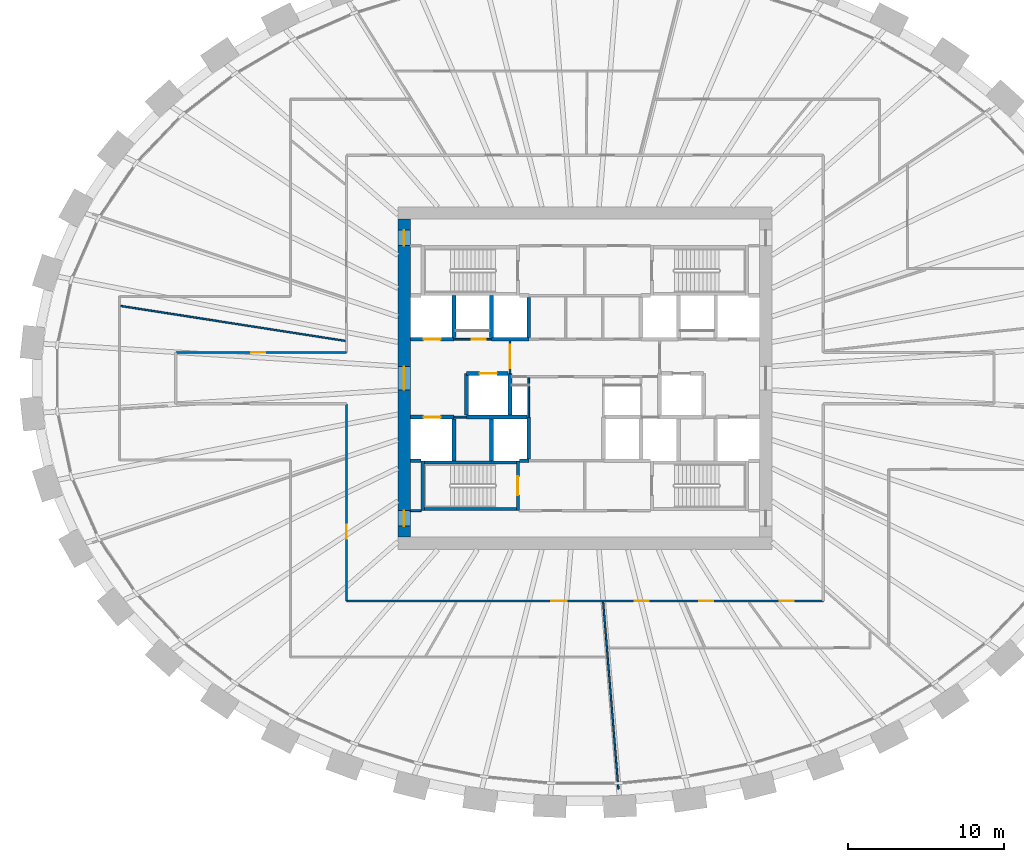
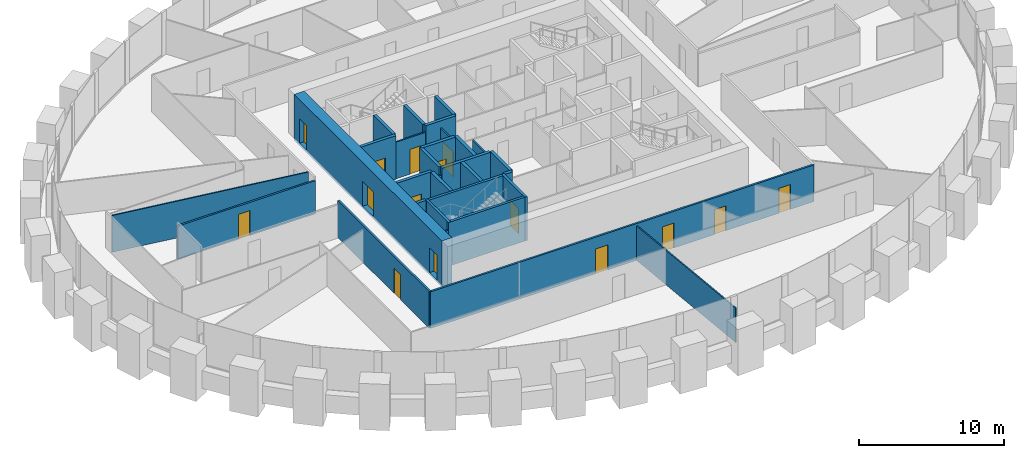
# One storey, part 6 of 11: 30 walls, 15 doors, 15 openings.
"""IFC4 building model written with IfcOpenShell, lengths in metres."""

from ifc_helpers import new_model, si_unit, direction, frame, frame_2d, origin, place, context, subcontext, project, spatial, rectangle, extrude, source, transform, mapped, material, layer, layer_set, type_object, element, fill, save


model = new_model("IFC4")

# Units and contexts
model_context = context("Model", 3, precision=1e-05, world=origin(), true_north=direction((0.0, 1.0)))
body_context = subcontext(model_context, "Body", "Model", "MODEL_VIEW")
ifc_project = project(units=[si_unit("LENGTHUNIT", "METRE"), si_unit("AREAUNIT", "SQUARE_METRE"), si_unit("VOLUMEUNIT", "CUBIC_METRE"), si_unit("PLANEANGLEUNIT", "RADIAN"), si_unit("MASSUNIT", "GRAM", prefix="KILO")], contexts=[model_context])

# Site, building, storey
site_placement = place(None, origin())
site = spatial("IfcSite", under=ifc_project, at=site_placement, CompositionType="ELEMENT")
building_placement = place(site_placement, origin())
building = spatial("IfcBuilding", under=site, at=building_placement, Name="Embergate Tower", CompositionType="ELEMENT")
storey_placement = place(building_placement, frame((0.0, 0.0, 219.0)))
storey = spatial("IfcBuildingStorey", under=building, at=storey_placement, Name="L50", CompositionType="ELEMENT", Elevation=219.0)

# Wall, openings, doors
ifc_material_1 = material(Name="Concrete C70", Category="concrete")
ifc_layer_1 = layer(ifc_material_1, 0.800048828125)
ifc_layer_set_1 = layer_set([ifc_layer_1], Name="Concrete C70")
wall_type_1 = type_object("IfcWallType", Name="Core outer wall C70 800", PredefinedType="SHEAR", material=ifc_layer_set_1)
shared_shape_1 = source(origin(), body_context, "Body", "SweptSolid", [
    extrude(rectangle(XDim=20.39990234375, YDim=0.800048828125, at=frame_2d((10.199951171875, 0.0))), origin(), (0.0, 0.0, 1.0), 3.89990234375),
])
wall_1_placement = place(storey_placement, frame((-11.60009765625, -10.199951171875, -0.199951171875), z_axis=(0.0, 0.0, 1.0), x_axis=(0.0, 1.0, 0.0)))
wall_1 = element("IfcWall", 1, at=wall_1_placement, inside=storey, type_object=wall_type_1, Name="CW-L50-W", PredefinedType="SHEAR", context=body_context, shape_type="MappedRepresentation", body=[
    mapped(shared_shape_1, transform((0.0, 0.0, 0.0))),
])
shared_shape_2 = source(origin(), body_context, "Body", "SweptSolid", [
    extrude(rectangle(XDim=1.0, YDim=2.10009765625, at=frame_2d((0.5, 1.050048828125))), frame((0.0, 0.409912109375, 0.0), z_axis=(0.0, -1.0, 0.0), x_axis=(1.0, 0.0, 0.0)), (0.0, 0.0, 1.0), 0.820068359375),
])
opening_1_placement = place(wall_1_placement, frame((18.699951171875, 0.0, 0.199951171875)))
opening_1 = element("IfcOpeningElement", 2, at=opening_1_placement, cuts=wall_1, Name="Opening IF-1d", PredefinedType="OPENING", context=body_context, shape_type="MappedRepresentation", body=[
    mapped(shared_shape_2, transform((0.0, 0.0, 0.0))),
])
opening_2_placement = place(wall_1_placement, frame((0.699951171875, 0.0, 0.199951171875)))
opening_2 = element("IfcOpeningElement", 3, at=opening_2_placement, cuts=wall_1, Name="Opening IF-1d", PredefinedType="OPENING", context=body_context, shape_type="MappedRepresentation", body=[
    mapped(shared_shape_2, transform((0.0, 0.0, 0.0))),
])
shared_shape_3 = source(origin(), body_context, "Body", "SweptSolid", [
    extrude(rectangle(XDim=1.5, YDim=2.10009765625, at=frame_2d((0.75, 1.050048828125))), frame((0.0, 0.409912109375, 0.0), z_axis=(0.0, -1.0, 0.0), x_axis=(1.0, 0.0, 0.0)), (0.0, 0.0, 1.0), 0.820068359375),
])
opening_3_placement = place(wall_1_placement, frame((9.449951171875, 0.0, 0.199951171875)))
opening_3 = element("IfcOpeningElement", 4, at=opening_3_placement, cuts=wall_1, Name="Opening IF-3", PredefinedType="OPENING", context=body_context, shape_type="MappedRepresentation", body=[
    mapped(shared_shape_3, transform((0.0, 0.0, 0.0))),
])
ifc_material_2 = material(Name="Lobby fire door pair 1500")
door_type_1 = type_object("IfcDoorType", Name="Lobby fire door pair 1500", OperationType="DOUBLE_DOOR_SINGLE_SWING", PredefinedType="DOOR", material=ifc_material_2)
shared_shape_4 = source(origin(), body_context, "Body", "SweptSolid", [
    extrude(rectangle(XDim=1.5, YDim=2.10009765625, at=frame_2d((0.75, 1.050048828125))), frame((0.0, 0.02490234375, 0.0), z_axis=(0.0, -1.0, 0.0), x_axis=(1.0, 0.0, 0.0)), (0.0, 0.0, 1.0), 0.050048828125),
])
door_1_placement = place(opening_3_placement, origin())
door_1 = element("IfcDoor", 5, at=door_1_placement, inside=storey, type_object=door_type_1, Name="IF-3 door", OperationType="DOUBLE_DOOR_SINGLE_SWING", OverallHeight=2.10009765625, OverallWidth=1.5, PredefinedType="DOOR", context=body_context, shape_type="MappedRepresentation", body=[
    mapped(shared_shape_4, transform((0.0, 0.0, 0.0))),
])
fill(opening_3, door_1)
ifc_material_3 = material(Name="Escape fire door 1000")
door_type_2 = type_object("IfcDoorType", Name="Escape fire door 1000", OperationType="SINGLE_SWING_LEFT", PredefinedType="DOOR", material=ifc_material_3)
shared_shape_5 = source(origin(), body_context, "Body", "SweptSolid", [
    extrude(rectangle(XDim=1.0, YDim=2.10009765625, at=frame_2d((0.5, 1.050048828125))), frame((0.0, 0.02490234375, 0.0), z_axis=(0.0, -1.0, 0.0), x_axis=(1.0, 0.0, 0.0)), (0.0, 0.0, 1.0), 0.050048828125),
])
door_2_placement = place(opening_1_placement, origin())
door_2 = element("IfcDoor", 6, at=door_2_placement, inside=storey, type_object=door_type_2, Name="IF-1 door", OperationType="SINGLE_SWING_RIGHT", OverallHeight=2.10009765625, OverallWidth=1.0, PredefinedType="DOOR", context=body_context, shape_type="MappedRepresentation", body=[
    mapped(shared_shape_5, transform((0.0, 0.0, 0.0))),
])
fill(opening_1, door_2)
door_3_placement = place(opening_2_placement, origin())
door_3 = element("IfcDoor", 7, at=door_3_placement, inside=storey, type_object=door_type_2, Name="IF-1 door", OperationType="SINGLE_SWING_LEFT", OverallHeight=2.10009765625, OverallWidth=1.0, PredefinedType="DOOR", context=body_context, shape_type="MappedRepresentation", body=[
    mapped(shared_shape_5, transform((0.0, 0.0, 0.0))),
])
fill(opening_2, door_3)

# Walls
ifc_material_4 = material(Name="Concrete C50", Category="concrete")
ifc_layer_2 = layer(ifc_material_4, 0.25)
ifc_layer_set_2 = layer_set([ifc_layer_2], Name="Concrete C50")
wall_type_2 = type_object("IfcWallType", Name="Hoistway wall reinforced concrete 250", PredefinedType="SHEAR", material=ifc_layer_set_2)
shared_shape_6 = source(origin(), body_context, "Body", "SweptSolid", [
    extrude(rectangle(XDim=2.675048828125, YDim=0.25, at=frame_2d((1.33740234375, 0.0))), origin(), (0.0, 0.0, 1.0), 3.699951171875),
])
for number, where, z_axis, x_axis, name in (
    (8, (-8.39990234375, 2.625, 0.0), (0.0, 0.0, 1.0), (0.0, 1.0, 0.0), "HW-1 wall"),
    (9, (-6.0, 2.625, 0.0), (0.0, 0.0, 1.0), (0.0, 1.0, 0.0), "HW-1 wall"),
    (10, (-3.60009765625, -5.175048828125, 0.0), (0.0, 0.0, 1.0), (0.0, 1.0, 0.0), "HW-1 wall"),
    (11, (-4.800048828125, 0.300048828125, 0.0), (0.0, 0.0, 1.0), (0.0, -1.0, 0.0), "HW-1 wall"),
):
    element("IfcWall", number, at=place(storey_placement, frame(where, z_axis=z_axis, x_axis=x_axis)), inside=storey, type_object=wall_type_2, Name=name, PredefinedType="SHEAR", context=body_context, shape_type="MappedRepresentation", body=[
        mapped(shared_shape_6, transform((0.0, 0.0, 0.0))),
    ])

# Wall, opening, door
wall_2_placement = place(storey_placement, frame((-4.925048828125, 0.300048828125, 0.0), z_axis=(0.0, 0.0, 1.0), x_axis=(-1.0, 0.0, 0.0)))
wall_2 = element("IfcWall", 12, at=wall_2_placement, inside=storey, type_object=wall_type_2, Name="HW-1 wall", PredefinedType="SHEAR", context=body_context, shape_type="MappedRepresentation", body=[
    mapped(shared_shape_6, transform((0.0, 0.0, 0.0))),
])
shared_shape_7 = source(origin(), body_context, "Body", "SweptSolid", [
    extrude(rectangle(XDim=1.10009765625, YDim=2.10009765625, at=frame_2d((0.550048828125, 1.050048828125))), frame((0.0, 0.135009765625, 0.0), z_axis=(0.0, -1.0, 0.0), x_axis=(1.0, 0.0, 0.0)), (0.0, 0.0, 1.0), 0.27001953125),
])
opening_4_placement = place(wall_2_placement, frame((0.72509765625, 0.0, 0.0)))
opening_4 = element("IfcOpeningElement", 13, at=opening_4_placement, cuts=wall_2, Name="Opening LD", PredefinedType="OPENING", context=body_context, shape_type="MappedRepresentation", body=[
    mapped(shared_shape_7, transform((0.0, 0.0, 0.0))),
])
ifc_material_5 = material(Name="Landing door sliding 1100")
door_type_3 = type_object("IfcDoorType", Name="Landing door sliding 1100", OperationType="SLIDING_TO_LEFT", PredefinedType="DOOR", material=ifc_material_5)
shared_shape_8 = source(origin(), body_context, "Body", "SweptSolid", [
    extrude(rectangle(XDim=1.10009765625, YDim=2.10009765625, at=frame_2d((0.550048828125, 1.050048828125))), frame((0.0, 0.02490234375, 0.0), z_axis=(0.0, -1.0, 0.0), x_axis=(1.0, 0.0, 0.0)), (0.0, 0.0, 1.0), 0.050048828125),
])
door_4_placement = place(opening_4_placement, origin())
door_4 = element("IfcDoor", 14, at=door_4_placement, inside=storey, type_object=door_type_3, Name="LD door", OperationType="SLIDING_TO_LEFT", OverallHeight=2.10009765625, OverallWidth=1.10009765625, PredefinedType="DOOR", context=body_context, shape_type="MappedRepresentation", body=[
    mapped(shared_shape_8, transform((0.0, 0.0, 0.0))),
])
fill(opening_4, door_4)

# Walls
wall_3_placement = place(storey_placement, frame((-7.60009765625, 0.300048828125, 0.0), z_axis=(0.0, 0.0, 1.0), x_axis=(0.0, -1.0, 0.0)))
element("IfcWall", 15, at=wall_3_placement, inside=storey, type_object=wall_type_2, Name="HW-1 wall", PredefinedType="SHEAR", context=body_context, shape_type="MappedRepresentation", body=[
    mapped(shared_shape_6, transform((0.0, 0.0, 0.0))),
])
ifc_layer_3 = layer(ifc_material_4, 0.199951171875)
ifc_layer_set_3 = layer_set([ifc_layer_3], Name="Concrete C50")
wall_type_3 = type_object("IfcWallType", Name="Stair enclosure wall reinforced concrete 250", PredefinedType="SHEAR", material=ifc_layer_set_3)
shared_shape_9 = source(origin(), body_context, "Body", "SweptSolid", [
    extrude(rectangle(XDim=6.300048828125, YDim=0.199951171875, at=frame_2d((3.14990234375, 0.0))), origin(), (0.0, 0.0, 1.0), 3.699951171875),
])
for number, where, z_axis, x_axis, name in (
    (16, (-10.5, -5.39990234375, 0.0), (0.0, 0.0, 1.0), (1.0, 0.0, 0.0), "SE-1 wall"),
    (17, (-10.5, -8.39990234375, 0.0), (0.0, 0.0, 1.0), (1.0, 0.0, 0.0), "SE-1 wall"),
):
    element("IfcWall", number, at=place(storey_placement, frame(where, z_axis=z_axis, x_axis=x_axis)), inside=storey, type_object=wall_type_3, Name=name, PredefinedType="SHEAR", context=body_context, shape_type="MappedRepresentation", body=[
        mapped(shared_shape_9, transform((0.0, 0.0, 0.0))),
    ])
shared_shape_10 = source(origin(), body_context, "Body", "SweptSolid", [
    extrude(rectangle(XDim=2.550048828125, YDim=0.25, at=frame_2d((1.27490234375, 0.0))), origin(), (0.0, 0.0, 1.0), 3.699951171875),
])
wall_4_placement = place(storey_placement, frame((-3.60009765625, 2.625, 0.0), z_axis=(0.0, 0.0, 1.0), x_axis=(0.0, 1.0, 0.0)))
element("IfcWall", 18, at=wall_4_placement, inside=storey, type_object=wall_type_2, Name="HW-1 wall", PredefinedType="SHEAR", context=body_context, shape_type="MappedRepresentation", body=[
    mapped(shared_shape_10, transform((0.0, 0.0, 0.0))),
])

# Wall, opening, door
ifc_material_6 = material(Name="Core partition blockwork 120")
ifc_layer_4 = layer(ifc_material_6, 0.1201171875)
ifc_layer_set_4 = layer_set([ifc_layer_4], Name="Core partition blockwork 120")
wall_type_4 = type_object("IfcWallType", Name="Core partition blockwork 120", PredefinedType="PARTITIONING", material=ifc_layer_set_4)
shared_shape_11 = source(origin(), body_context, "Body", "SweptSolid", [
    extrude(rectangle(XDim=2.074951171875, YDim=0.1201171875, at=frame_2d((1.03759765625, 0.0))), origin(), (0.0, 0.0, 1.0), 3.10009765625),
])
wall_5_placement = place(storey_placement, frame((-4.800048828125, 2.375, 0.0), z_axis=(0.0, 0.0, 1.0), x_axis=(0.0, -1.0, 0.0)))
wall_5 = element("IfcWall", 19, at=wall_5_placement, inside=storey, type_object=wall_type_4, Name="IP-3 wall", PredefinedType="PARTITIONING", context=body_context, shape_type="MappedRepresentation", body=[
    mapped(shared_shape_11, transform((0.0, 0.0, 0.0))),
])
shared_shape_12 = source(origin(), body_context, "Body", "SweptSolid", [
    extrude(rectangle(XDim=1.5, YDim=2.10009765625, at=frame_2d((0.75, 1.050048828125))), frame((0.0, 0.070068359375, 0.0), z_axis=(0.0, -1.0, 0.0), x_axis=(1.0, 0.0, 0.0)), (0.0, 0.0, 1.0), 0.14013671875),
])
opening_5_placement = place(wall_5_placement, frame((0.22509765625, 0.0, 0.0)))
opening_5 = element("IfcOpeningElement", 20, at=opening_5_placement, cuts=wall_5, Name="Opening IF-3", PredefinedType="OPENING", context=body_context, shape_type="MappedRepresentation", body=[
    mapped(shared_shape_12, transform((0.0, 0.0, 0.0))),
])
door_5_placement = place(opening_5_placement, origin())
door_5 = element("IfcDoor", 21, at=door_5_placement, inside=storey, type_object=door_type_1, Name="IF-3 door", OperationType="DOUBLE_DOOR_SINGLE_SWING", OverallHeight=2.10009765625, OverallWidth=1.5, PredefinedType="DOOR", context=body_context, shape_type="MappedRepresentation", body=[
    mapped(shared_shape_4, transform((0.0, 0.0, 0.0))),
])
fill(opening_5, door_5)

shared_shape_13 = source(origin(), body_context, "Body", "SweptSolid", [
    extrude(rectangle(XDim=3.199951171875, YDim=0.199951171875, at=frame_2d((1.60009765625, 0.0))), origin(), (0.0, 0.0, 1.0), 3.699951171875),
])
wall_6_placement = place(storey_placement, frame((-4.300048828125, -8.5, 0.0), z_axis=(0.0, 0.0, 1.0), x_axis=(0.0, 1.0, 0.0)))
wall_6 = element("IfcWall", 22, at=wall_6_placement, inside=storey, type_object=wall_type_3, Name="SE-1 wall", PredefinedType="SHEAR", context=body_context, shape_type="MappedRepresentation", body=[
    mapped(shared_shape_13, transform((0.0, 0.0, 0.0))),
])
shared_shape_14 = source(origin(), body_context, "Body", "SweptSolid", [
    extrude(rectangle(XDim=1.199951171875, YDim=2.10009765625, at=frame_2d((0.60009765625, 1.050048828125))), frame((0.0, 0.10986328125, 0.0), z_axis=(0.0, -1.0, 0.0), x_axis=(1.0, 0.0, 0.0)), (0.0, 0.0, 1.0), 0.219970703125),
])
opening_6_placement = place(wall_6_placement, frame((1.0, 0.0, 0.0)))
opening_6 = element("IfcOpeningElement", 23, at=opening_6_placement, cuts=wall_6, Name="Opening IF-2", PredefinedType="OPENING", context=body_context, shape_type="MappedRepresentation", body=[
    mapped(shared_shape_14, transform((0.0, 0.0, 0.0))),
])
ifc_material_7 = material(Name="Stair enclosure door 1200")
door_type_4 = type_object("IfcDoorType", Name="Stair enclosure door 1200", OperationType="SINGLE_SWING_LEFT", PredefinedType="DOOR", material=ifc_material_7)
shared_shape_15 = source(origin(), body_context, "Body", "SweptSolid", [
    extrude(rectangle(XDim=1.199951171875, YDim=2.10009765625, at=frame_2d((0.60009765625, 1.050048828125))), frame((0.0, 0.02490234375, 0.0), z_axis=(0.0, -1.0, 0.0), x_axis=(1.0, 0.0, 0.0)), (0.0, 0.0, 1.0), 0.050048828125),
])
door_6_placement = place(opening_6_placement, origin())
door_6 = element("IfcDoor", 24, at=door_6_placement, inside=storey, type_object=door_type_4, Name="IF-2 door", OperationType="SINGLE_SWING_LEFT", OverallHeight=2.10009765625, OverallWidth=1.199951171875, PredefinedType="DOOR", context=body_context, shape_type="MappedRepresentation", body=[
    mapped(shared_shape_15, transform((0.0, 0.0, 0.0))),
])
fill(opening_6, door_6)

# Wall
shared_shape_16 = source(origin(), body_context, "Body", "SweptSolid", [
    extrude(rectangle(XDim=2.39990234375, YDim=0.25, at=frame_2d((1.199951171875, 0.0))), origin(), (0.0, 0.0, 1.0), 3.699951171875),
])
wall_7_placement = place(storey_placement, frame((-6.0, 2.5, 0.0), z_axis=(0.0, 0.0, 1.0), x_axis=(1.0, 0.0, 0.0)))
element("IfcWall", 25, at=wall_7_placement, inside=storey, type_object=wall_type_2, Name="HW-1 wall", PredefinedType="SHEAR", context=body_context, shape_type="MappedRepresentation", body=[
    mapped(shared_shape_16, transform((0.0, 0.0, 0.0))),
])

# Wall, opening, door
ifc_material_8 = material(Name="Corridor wall dry-lined 150")
ifc_layer_5 = layer(ifc_material_8, 0.14990234375)
ifc_layer_set_5 = layer_set([ifc_layer_5], Name="Corridor wall dry-lined 150")
wall_type_5 = type_object("IfcWallType", Name="Corridor wall dry-lined 150", PredefinedType="PARTITIONING", material=ifc_layer_set_5)
shared_shape_17 = source(origin(), body_context, "Body", "SweptSolid", [
    extrude(rectangle(XDim=10.949951171875, YDim=0.14990234375, at=frame_2d((5.47509765625, 0.0))), origin(), (0.0, 0.0, 1.0), 2.800048828125),
])
wall_8_placement = place(storey_placement, frame((-15.300048828125, 1.64990234375, 0.0), z_axis=(0.0, 0.0, 1.0), x_axis=(-1.0, 0.0, 0.0)))
wall_8 = element("IfcWall", 26, at=wall_8_placement, inside=storey, type_object=wall_type_5, Name="IP-2 wall", PredefinedType="PARTITIONING", context=body_context, shape_type="MappedRepresentation", body=[
    mapped(shared_shape_17, transform((0.0, 0.0, 0.0))),
])
shared_shape_18 = source(origin(), body_context, "Body", "SweptSolid", [
    extrude(rectangle(XDim=0.89990234375, YDim=2.10009765625, at=frame_2d((0.449951171875, 1.050048828125))), frame((0.0, 0.0849609375, 0.0), z_axis=(0.0, -1.0, 0.0), x_axis=(1.0, 0.0, 0.0)), (0.0, 0.0, 1.0), 0.169921875),
])
opening_7_placement = place(wall_8_placement, frame((5.214111328125, 0.0, 0.0)))
opening_7 = element("IfcOpeningElement", 27, at=opening_7_placement, cuts=wall_8, Name="Opening IF-1c", PredefinedType="OPENING", context=body_context, shape_type="MappedRepresentation", body=[
    mapped(shared_shape_18, transform((0.0, 0.0, 0.0))),
])
ifc_material_9 = material(Name="Escape fire door 900")
door_type_5 = type_object("IfcDoorType", Name="Escape fire door 900", OperationType="SINGLE_SWING_LEFT", PredefinedType="DOOR", material=ifc_material_9)
shared_shape_19 = source(origin(), body_context, "Body", "SweptSolid", [
    extrude(rectangle(XDim=0.89990234375, YDim=2.10009765625, at=frame_2d((0.449951171875, 1.050048828125))), frame((0.0, 0.02490234375, 0.0), z_axis=(0.0, -1.0, 0.0), x_axis=(1.0, 0.0, 0.0)), (0.0, 0.0, 1.0), 0.050048828125),
])
door_7_placement = place(opening_7_placement, origin())
door_7 = element("IfcDoor", 28, at=door_7_placement, inside=storey, type_object=door_type_5, Name="IF-1 door", OperationType="SINGLE_SWING_LEFT", OverallHeight=2.10009765625, OverallWidth=0.89990234375, PredefinedType="DOOR", context=body_context, shape_type="MappedRepresentation", body=[
    mapped(shared_shape_19, transform((0.0, 0.0, 0.0))),
])
fill(opening_7, door_7)

shared_shape_20 = source(origin(), body_context, "Body", "SweptSolid", [
    extrude(rectangle(XDim=2.800048828125, YDim=0.25, at=frame_2d((1.39990234375, 0.0))), origin(), (0.0, 0.0, 1.0), 3.699951171875),
])
wall_9_placement = place(storey_placement, frame((-11.199951171875, 2.5, 0.0), z_axis=(0.0, 0.0, 1.0), x_axis=(1.0, 0.0, 0.0)))
wall_9 = element("IfcWall", 29, at=wall_9_placement, inside=storey, type_object=wall_type_2, Name="HW-1 wall", PredefinedType="SHEAR", context=body_context, shape_type="MappedRepresentation", body=[
    mapped(shared_shape_20, transform((0.0, 0.0, 0.0))),
])
opening_8_placement = place(wall_9_placement, frame((0.85009765625, 0.0, 0.0)))
opening_8 = element("IfcOpeningElement", 30, at=opening_8_placement, cuts=wall_9, Name="Opening LD", PredefinedType="OPENING", context=body_context, shape_type="MappedRepresentation", body=[
    mapped(shared_shape_7, transform((0.0, 0.0, 0.0))),
])
door_8_placement = place(opening_8_placement, origin())
door_8 = element("IfcDoor", 31, at=door_8_placement, inside=storey, type_object=door_type_3, Name="LD door", OperationType="SLIDING_TO_RIGHT", OverallHeight=2.10009765625, OverallWidth=1.10009765625, PredefinedType="DOOR", context=body_context, shape_type="MappedRepresentation", body=[
    mapped(shared_shape_8, transform((0.0, 0.0, 0.0))),
])
fill(opening_8, door_8)

wall_10_placement = place(storey_placement, frame((-8.39990234375, -2.5, 0.0), z_axis=(0.0, 0.0, 1.0), x_axis=(-1.0, 0.0, 0.0)))
wall_10 = element("IfcWall", 32, at=wall_10_placement, inside=storey, type_object=wall_type_2, Name="HW-1 wall", PredefinedType="SHEAR", context=body_context, shape_type="MappedRepresentation", body=[
    mapped(shared_shape_20, transform((0.0, 0.0, 0.0))),
])
opening_9_placement = place(wall_10_placement, frame((0.85009765625, 0.0, 0.0)))
opening_9 = element("IfcOpeningElement", 33, at=opening_9_placement, cuts=wall_10, Name="Opening LD", PredefinedType="OPENING", context=body_context, shape_type="MappedRepresentation", body=[
    mapped(shared_shape_7, transform((0.0, 0.0, 0.0))),
])
door_9_placement = place(opening_9_placement, origin())
door_9 = element("IfcDoor", 34, at=door_9_placement, inside=storey, type_object=door_type_3, Name="LD door", OperationType="SLIDING_TO_LEFT", OverallHeight=2.10009765625, OverallWidth=1.10009765625, PredefinedType="DOOR", context=body_context, shape_type="MappedRepresentation", body=[
    mapped(shared_shape_8, transform((0.0, 0.0, 0.0))),
])
fill(opening_9, door_9)

shared_shape_21 = source(origin(), body_context, "Body", "SweptSolid", [
    extrude(rectangle(XDim=2.39990234375, YDim=0.1201171875, at=frame_2d((1.199951171875, 0.0))), origin(), (0.0, 0.0, 1.0), 3.10009765625),
])
wall_11_placement = place(storey_placement, frame((-8.39990234375, 2.5, 0.0), z_axis=(0.0, 0.0, 1.0), x_axis=(1.0, 0.0, 0.0)))
wall_11 = element("IfcWall", 35, at=wall_11_placement, inside=storey, type_object=wall_type_4, Name="IP-3 wall", PredefinedType="PARTITIONING", context=body_context, shape_type="MappedRepresentation", body=[
    mapped(shared_shape_21, transform((0.0, 0.0, 0.0))),
])
shared_shape_22 = source(origin(), body_context, "Body", "SweptSolid", [
    extrude(rectangle(XDim=0.89990234375, YDim=2.10009765625, at=frame_2d((0.449951171875, 1.050048828125))), frame((0.0, 0.070068359375, 0.0), z_axis=(0.0, -1.0, 0.0), x_axis=(1.0, 0.0, 0.0)), (0.0, 0.0, 1.0), 0.14013671875),
])
opening_10_placement = place(wall_11_placement, frame((1.14990234375, 0.0, 0.0)))
opening_10 = element("IfcOpeningElement", 36, at=opening_10_placement, cuts=wall_11, Name="Opening ID-1", PredefinedType="OPENING", context=body_context, shape_type="MappedRepresentation", body=[
    mapped(shared_shape_22, transform((0.0, 0.0, 0.0))),
])
ifc_material_10 = material(Name="Interior door 900")
door_type_6 = type_object("IfcDoorType", Name="Interior door 900", OperationType="SINGLE_SWING_LEFT", PredefinedType="DOOR", material=ifc_material_10)
door_10_placement = place(opening_10_placement, origin())
door_10 = element("IfcDoor", 37, at=door_10_placement, inside=storey, type_object=door_type_6, Name="ID-1 door", OperationType="SINGLE_SWING_LEFT", OverallHeight=2.10009765625, OverallWidth=0.89990234375, PredefinedType="DOOR", context=body_context, shape_type="MappedRepresentation", body=[
    mapped(shared_shape_19, transform((0.0, 0.0, 0.0))),
])
fill(opening_10, door_10)

# Walls
shared_shape_23 = source(origin(), body_context, "Body", "SweptSolid", [
    extrude(rectangle(XDim=0.599853515625, YDim=0.25, at=frame_2d((0.2998046875, 0.0))), origin(), (0.0, 0.0, 1.0), 3.699951171875),
])
wall_12_placement = place(storey_placement, frame((-4.199951171875, -5.300048828125, 0.0), z_axis=(0.0, 0.0, 1.0), x_axis=(1.0, 0.0, 0.0)))
element("IfcWall", 38, at=wall_12_placement, inside=storey, type_object=wall_type_2, Name="HW-1 wall", PredefinedType="SHEAR", context=body_context, shape_type="MappedRepresentation", body=[
    mapped(shared_shape_23, transform((0.0, 0.0, 0.0))),
])
shared_shape_24 = source(origin(), body_context, "Body", "SweptSolid", [
    extrude(rectangle(XDim=3.872802734375, YDim=0.25, at=frame_2d((1.9365234375, 0.0))), origin(), (0.0, 0.0, 1.0), 3.699951171875),
])
wall_13_placement = place(storey_placement, frame((-3.72509765625, -2.5, 0.0), z_axis=(0.0, 0.0, 1.0), x_axis=(-1.0, 0.0, 0.0)))
element("IfcWall", 39, at=wall_13_placement, inside=storey, type_object=wall_type_2, Name="HW-1 wall", PredefinedType="SHEAR", context=body_context, shape_type="MappedRepresentation", body=[
    mapped(shared_shape_24, transform((0.0, 0.0, 0.0))),
])
shared_shape_25 = source(origin(), body_context, "Body", "SweptSolid", [
    extrude(rectangle(XDim=2.5400390625, YDim=0.1201171875, at=frame_2d((1.27001953125, 0.0))), origin(), (0.0, 0.0, 1.0), 3.10009765625),
])
wall_14_placement = place(storey_placement, frame((-3.60009765625, -2.5, 0.0), z_axis=(0.0, 0.0, 1.0), x_axis=(0.0, 1.0, 0.0)))
element("IfcWall", 40, at=wall_14_placement, inside=storey, type_object=wall_type_4, Name="IP-3 wall", PredefinedType="PARTITIONING", context=body_context, shape_type="MappedRepresentation", body=[
    mapped(shared_shape_25, transform((0.0, 0.0, 0.0))),
])
shared_shape_26 = source(origin(), body_context, "Body", "SweptSolid", [
    extrude(rectangle(XDim=3.196044921875, YDim=0.199951171875, at=frame_2d((1.59814453125, 0.0))), origin(), (0.0, 0.0, 1.0), 3.699951171875),
])
wall_15_placement = place(storey_placement, frame((-10.39990234375, -5.302001953125, 0.0), z_axis=(0.0, 0.0, 1.0), x_axis=(0.0, -1.0, 0.0)))
element("IfcWall", 41, at=wall_15_placement, inside=storey, type_object=wall_type_3, Name="SE-1 wall", PredefinedType="SHEAR", context=body_context, shape_type="MappedRepresentation", body=[
    mapped(shared_shape_26, transform((0.0, 0.0, 0.0))),
])
shared_shape_27 = source(origin(), body_context, "Body", "SweptSolid", [
    extrude(rectangle(XDim=0.697998046875, YDim=0.25, at=frame_2d((0.34912109375, 0.0))), origin(), (0.0, 0.0, 1.0), 3.699951171875),
])
wall_16_placement = place(storey_placement, frame((-11.199951171875, -5.300048828125, 0.0), z_axis=(0.0, 0.0, 1.0), x_axis=(1.0, 0.0, 0.0)))
element("IfcWall", 42, at=wall_16_placement, inside=storey, type_object=wall_type_2, Name="HW-1 wall", PredefinedType="SHEAR", context=body_context, shape_type="MappedRepresentation", body=[
    mapped(shared_shape_27, transform((0.0, 0.0, 0.0))),
])
shared_shape_28 = source(origin(), body_context, "Body", "SweptSolid", [
    extrude(rectangle(XDim=2.671142578125, YDim=0.25, at=frame_2d((1.33544921875, 0.0))), origin(), (0.0, 0.0, 1.0), 3.699951171875),
])
for number, where, z_axis, x_axis, name in (
    (43, (-8.39990234375, -5.298095703125, 0.0), (0.0, 0.0, 1.0), (0.0, 1.0, 0.0), "HW-1 wall"),
    (44, (-6.0, -2.626953125, 0.0), (0.0, 0.0, 1.0), (0.0, -1.0, 0.0), "HW-1 wall"),
):
    element("IfcWall", number, at=place(storey_placement, frame(where, z_axis=z_axis, x_axis=x_axis)), inside=storey, type_object=wall_type_2, Name=name, PredefinedType="SHEAR", context=body_context, shape_type="MappedRepresentation", body=[
        mapped(shared_shape_28, transform((0.0, 0.0, 0.0))),
    ])
shared_shape_29 = source(origin(), body_context, "Body", "SweptSolid", [
    extrude(rectangle(XDim=0.7958984375, YDim=0.1201171875, at=frame_2d((0.39794921875, 0.0))), origin(), (0.0, 0.0, 1.0), 3.10009765625),
])
wall_17_placement = place(storey_placement, frame((-8.39794921875, -2.5, 0.0), z_axis=(0.0, 0.0, 1.0), x_axis=(1.0, 0.0, 0.0)))
element("IfcWall", 45, at=wall_17_placement, inside=storey, type_object=wall_type_4, Name="IP-3 wall", PredefinedType="PARTITIONING", context=body_context, shape_type="MappedRepresentation", body=[
    mapped(shared_shape_29, transform((0.0, 0.0, 0.0))),
])
shared_shape_30 = source(origin(), body_context, "Body", "SweptSolid", [
    extrude(rectangle(XDim=0.697998046875, YDim=0.1201171875, at=frame_2d((0.34912109375, 0.0))), origin(), (0.0, 0.0, 1.0), 3.10009765625),
])
wall_18_placement = place(storey_placement, frame((-10.501953125, -8.5, 0.0), z_axis=(0.0, 0.0, 1.0), x_axis=(-1.0, 0.0, 0.0)))
element("IfcWall", 46, at=wall_18_placement, inside=storey, type_object=wall_type_4, Name="IP-3 wall", PredefinedType="PARTITIONING", context=body_context, shape_type="MappedRepresentation", body=[
    mapped(shared_shape_30, transform((0.0, 0.0, 0.0))),
])

# Wall, openings, doors
shared_shape_31 = source(origin(), body_context, "Body", "SweptSolid", [
    extrude(rectangle(XDim=30.60009765625, YDim=0.14990234375, at=frame_2d((15.300048828125, 0.0))), origin(), (0.0, 0.0, 1.0), 3.10009765625),
])
wall_19_placement = place(storey_placement, frame((15.300048828125, -14.300048828125, 0.0), z_axis=(0.0, 0.0, 1.0), x_axis=(-1.0, 0.0, 0.0)))
wall_19 = element("IfcWall", 47, at=wall_19_placement, inside=storey, type_object=wall_type_5, Name="IP-2 wall", PredefinedType="PARTITIONING", context=body_context, shape_type="MappedRepresentation", body=[
    mapped(shared_shape_31, transform((0.0, 0.0, 0.0))),
])
shared_shape_32 = source(origin(), body_context, "Body", "SweptSolid", [
    extrude(rectangle(XDim=1.0, YDim=2.10009765625, at=frame_2d((0.5, 1.050048828125))), frame((0.0, 0.0849609375, 0.0), z_axis=(0.0, -1.0, 0.0), x_axis=(1.0, 0.0, 0.0)), (0.0, 0.0, 1.0), 0.169921875),
])
opening_11_placement = place(wall_19_placement, frame((16.448974609375, 0.0, 0.0)))
opening_11 = element("IfcOpeningElement", 48, at=opening_11_placement, cuts=wall_19, Name="Opening ID-2", PredefinedType="OPENING", context=body_context, shape_type="MappedRepresentation", body=[
    mapped(shared_shape_32, transform((0.0, 0.0, 0.0))),
])
opening_12_placement = place(wall_19_placement, frame((11.18994140625, 0.0, 0.0)))
opening_12 = element("IfcOpeningElement", 49, at=opening_12_placement, cuts=wall_19, Name="Opening IF-1c", PredefinedType="OPENING", context=body_context, shape_type="MappedRepresentation", body=[
    mapped(shared_shape_18, transform((0.0, 0.0, 0.0))),
])
opening_13_placement = place(wall_19_placement, frame((7.052001953125, 0.0, 0.0)))
opening_13 = element("IfcOpeningElement", 50, at=opening_13_placement, cuts=wall_19, Name="Opening IF-1c", PredefinedType="OPENING", context=body_context, shape_type="MappedRepresentation", body=[
    mapped(shared_shape_18, transform((0.0, 0.0, 0.0))),
])
opening_14_placement = place(wall_19_placement, frame((1.89990234375, 0.0, 0.0)))
opening_14 = element("IfcOpeningElement", 51, at=opening_14_placement, cuts=wall_19, Name="Opening IF-1c", PredefinedType="OPENING", context=body_context, shape_type="MappedRepresentation", body=[
    mapped(shared_shape_18, transform((0.0, 0.0, 0.0))),
])
door_11_placement = place(opening_12_placement, origin())
door_11 = element("IfcDoor", 52, at=door_11_placement, inside=storey, type_object=door_type_5, Name="IF-1 door", OperationType="SINGLE_SWING_RIGHT", OverallHeight=2.10009765625, OverallWidth=0.89990234375, PredefinedType="DOOR", context=body_context, shape_type="MappedRepresentation", body=[
    mapped(shared_shape_19, transform((0.0, 0.0, 0.0))),
])
fill(opening_12, door_11)
door_12_placement = place(opening_13_placement, origin())
door_12 = element("IfcDoor", 53, at=door_12_placement, inside=storey, type_object=door_type_5, Name="IF-1 door", OperationType="SINGLE_SWING_LEFT", OverallHeight=2.10009765625, OverallWidth=0.89990234375, PredefinedType="DOOR", context=body_context, shape_type="MappedRepresentation", body=[
    mapped(shared_shape_19, transform((0.0, 0.0, 0.0))),
])
fill(opening_13, door_12)
door_13_placement = place(opening_14_placement, origin())
door_13 = element("IfcDoor", 54, at=door_13_placement, inside=storey, type_object=door_type_5, Name="IF-1 door", OperationType="SINGLE_SWING_LEFT", OverallHeight=2.10009765625, OverallWidth=0.89990234375, PredefinedType="DOOR", context=body_context, shape_type="MappedRepresentation", body=[
    mapped(shared_shape_19, transform((0.0, 0.0, 0.0))),
])
fill(opening_14, door_13)
ifc_material_11 = material(Name="Interior door 1000")
door_type_7 = type_object("IfcDoorType", Name="Interior door 1000", OperationType="SINGLE_SWING_LEFT", PredefinedType="DOOR", material=ifc_material_11)
door_14_placement = place(opening_11_placement, origin())
door_14 = element("IfcDoor", 55, at=door_14_placement, inside=storey, type_object=door_type_7, Name="ID-2 door", OperationType="SINGLE_SWING_RIGHT", OverallHeight=2.10009765625, OverallWidth=1.0, PredefinedType="DOOR", context=body_context, shape_type="MappedRepresentation", body=[
    mapped(shared_shape_5, transform((0.0, 0.0, 0.0))),
])
fill(opening_11, door_14)

# Wall, opening, door
shared_shape_33 = source(origin(), body_context, "Body", "SweptSolid", [
    extrude(rectangle(XDim=12.650146484375, YDim=0.14990234375, at=frame_2d((6.3251953125, 0.0))), origin(), (0.0, 0.0, 1.0), 3.10009765625),
])
wall_20_placement = place(storey_placement, frame((-15.300048828125, -14.300048828125, 0.0), z_axis=(0.0, 0.0, 1.0), x_axis=(0.0, 1.0, 0.0)))
wall_20 = element("IfcWall", 56, at=wall_20_placement, inside=storey, type_object=wall_type_5, Name="IP-2 wall", PredefinedType="PARTITIONING", context=body_context, shape_type="MappedRepresentation", body=[
    mapped(shared_shape_33, transform((0.0, 0.0, 0.0))),
])
opening_15_placement = place(wall_20_placement, frame((3.990966796875, 0.0, 0.0)))
opening_15 = element("IfcOpeningElement", 57, at=opening_15_placement, cuts=wall_20, Name="Opening IF-1c", PredefinedType="OPENING", context=body_context, shape_type="MappedRepresentation", body=[
    mapped(shared_shape_18, transform((0.0, 0.0, 0.0))),
])
door_15_placement = place(opening_15_placement, origin())
door_15 = element("IfcDoor", 58, at=door_15_placement, inside=storey, type_object=door_type_5, Name="IF-1 door", OperationType="SINGLE_SWING_RIGHT", OverallHeight=2.10009765625, OverallWidth=0.89990234375, PredefinedType="DOOR", context=body_context, shape_type="MappedRepresentation", body=[
    mapped(shared_shape_19, transform((0.0, 0.0, 0.0))),
])
fill(opening_15, door_15)

# Walls
ifc_material_12 = material(Name="Partition dry-lined 100")
ifc_layer_6 = layer(ifc_material_12, 0.10009765625)
ifc_layer_set_6 = layer_set([ifc_layer_6], Name="Partition dry-lined 100")
wall_type_6 = type_object("IfcWallType", Name="Partition dry-lined 100", PredefinedType="PARTITIONING", material=ifc_layer_set_6)
shared_shape_34 = source(origin(), body_context, "Body", "SweptSolid", [
    extrude(rectangle(XDim=14.582275390625, YDim=0.10009765625, at=frame_2d((7.291015625, 0.0))), origin(), (0.0, 0.0, 1.0), 3.10009765625),
])
wall_21_placement = place(storey_placement, frame((-15.383056640625, 2.39404296875, 0.0), z_axis=(0.0, 0.0, 1.0), x_axis=(-0.988110704536, 0.153744058689, 0.0)))
element("IfcWall", 59, at=wall_21_placement, inside=storey, type_object=wall_type_6, Name="IP-1 wall", PredefinedType="PARTITIONING", context=body_context, shape_type="MappedRepresentation", body=[
    mapped(shared_shape_34, transform((0.0, 0.0, 0.0))),
])
ifc_material_13 = material(Name="Partition dry-lined 100 wet")
ifc_layer_7 = layer(ifc_material_13, 0.10009765625)
ifc_layer_set_7 = layer_set([ifc_layer_7], Name="Partition dry-lined 100 wet")
wall_type_7 = type_object("IfcWallType", Name="Partition dry-lined 100 wet", PredefinedType="PLUMBINGWALL", material=ifc_layer_set_7)
shared_shape_35 = source(origin(), body_context, "Body", "SweptSolid", [
    extrude(rectangle(XDim=12.02783203125, YDim=0.10009765625, at=frame_2d((6.013916015625, 0.0))), origin(), (0.0, 0.0, 1.0), 2.89990234375),
])
wall_22_placement = place(storey_placement, frame((2.154052734375, -26.363037109375, 0.0), z_axis=(0.0, 0.0, 1.0), x_axis=(-0.081394106278, 0.996681995154, 0.0)))
element("IfcWall", 60, at=wall_22_placement, inside=storey, type_object=wall_type_7, Name="IP-1 wall", PredefinedType="PLUMBINGWALL", context=body_context, shape_type="MappedRepresentation", body=[
    mapped(shared_shape_35, transform((0.0, 0.0, 0.0))),
])

save(model, "model.ifc")
